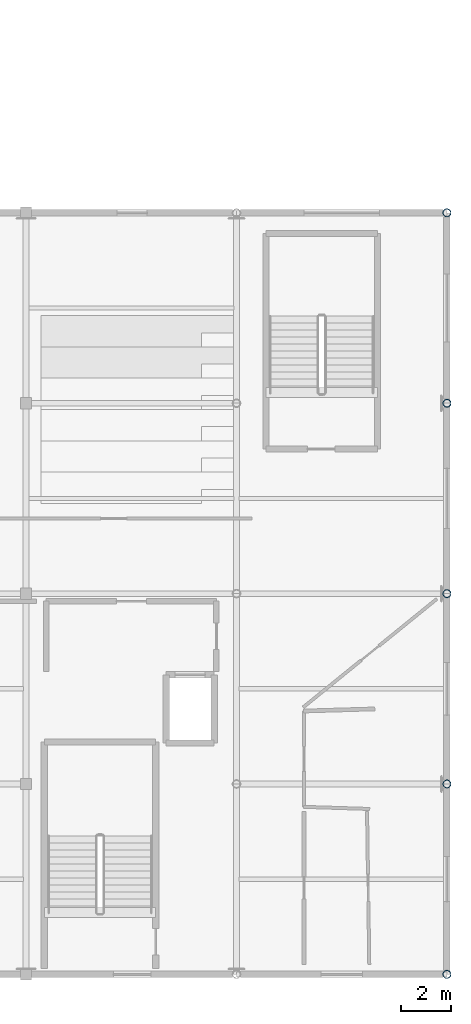
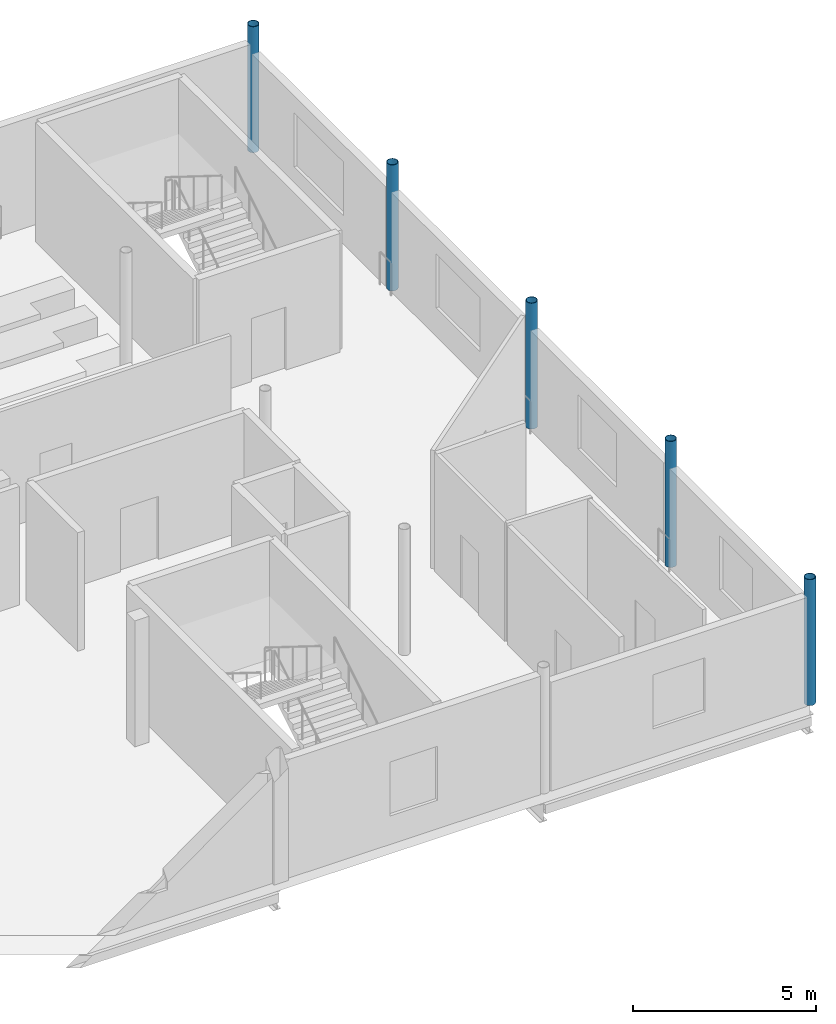
# One storey, part 3 of 13: 5 columns.
"""IFC4 building model written with IfcOpenShell, lengths in metres."""

import ifcopenshell
import ifcopenshell.guid

model = None  # the IFC model being written
_history = None  # IfcOwnerHistory: only IFC2X3 demands one
_inside = {}  # id of a spatial element -> (the spatial element, [elements in it])
_under = {}  # id of a project, library or spatial element -> (it, [spatial elements below it])
_declared = {}  # id of a project -> (the project, [libraries it declares])
_typed = {}  # id of a type object -> (the type object, [elements of that type])
_made_of = {}  # id of a material, layer set ... -> (it, [elements and type objects made of it])


def new_model(schema):
    """Start an empty IFC model of exactly this schema.

    Asked for "IFC4X3", IfcOpenShell would pick the latest addendum, in which some entities
    have other attributes; the version numbers below select the first issue.
    IFC2X3 requires an IfcOwnerHistory on every rooted entity: one is made here for all.
    """
    global model, _history
    if schema == "IFC4X3":
        model = ifcopenshell.file(schema_version=(4, 3, 0, 0))
    else:
        model = ifcopenshell.file(schema=schema)
    _inside.clear()
    _under.clear()
    _declared.clear()
    _typed.clear()
    _made_of.clear()
    _history = None
    if model.schema == "IFC2X3":
        org = make("IfcOrganization", Name="unknown")
        user = make(
            "IfcPersonAndOrganization",
            ThePerson=make("IfcPerson", FamilyName="unknown"),
            TheOrganization=org,
        )
        app = make(
            "IfcApplication",
            ApplicationDeveloper=org,
            Version="unknown",
            ApplicationFullName="unknown",
            ApplicationIdentifier="unknown",
        )
        _history = make(
            "IfcOwnerHistory",
            OwningUser=user,
            OwningApplication=app,
            ChangeAction="ADDED",
            CreationDate=0,
        )
    return model


def make(cls, **values):
    """One entity of the class cls with the attributes given. An attribute that is None is left unset."""
    return model.create_entity(
        cls, **{name: value for name, value in values.items() if value is not None}
    )


def rooted(cls, **values):
    """An entity with a GlobalId (a new one), such as an element, a storey or a relation."""
    return make(cls, GlobalId=ifcopenshell.guid.new(), OwnerHistory=_history, **values)


def si_unit(unit_type, name, prefix=None):
    """IfcSIUnit, for example si_unit("LENGTHUNIT", "METRE", prefix="MILLI")."""
    return make("IfcSIUnit", UnitType=unit_type, Prefix=prefix, Name=name)


def assignment(units):
    """IfcUnitAssignment: the units of a project."""
    return None if units is None else make("IfcUnitAssignment", Units=units)


def point(xyz):
    """IfcCartesianPoint."""
    return None if xyz is None else make("IfcCartesianPoint", Coordinates=xyz)


def direction(xyz):
    """IfcDirection."""
    return None if xyz is None else make("IfcDirection", DirectionRatios=xyz)


def frame(location, z_axis=None, x_axis=None):
    """IfcAxis2Placement3D, a coordinate frame: its origin and axes. An axis left out is left unset."""
    return make(
        "IfcAxis2Placement3D",
        Location=point(location),
        Axis=direction(z_axis),
        RefDirection=direction(x_axis),
    )


def frame_2d(location, x_axis=None):
    """IfcAxis2Placement2D, a coordinate frame in the plane: its origin and x axis."""
    return make(
        "IfcAxis2Placement2D", Location=point(location), RefDirection=direction(x_axis)
    )


def origin():
    """The frame at (0, 0, 0) with its axes left unset."""
    return frame((0.0, 0.0, 0.0))


def origin_2d():
    """The frame at (0, 0) in the plane with its x axis left unset."""
    return frame_2d((0.0, 0.0))


def place(relative_to, where):
    """IfcLocalPlacement: puts the frame where relative to a parent placement (None: the world)."""
    return make(
        "IfcLocalPlacement", PlacementRelTo=relative_to, RelativePlacement=where
    )


def context(
    kind, dimensions, precision=None, world=None, true_north=None, identifier=None
):
    """IfcGeometricRepresentationContext, for example the 3D "Model" context."""
    return make(
        "IfcGeometricRepresentationContext",
        ContextIdentifier=identifier,
        ContextType=kind,
        CoordinateSpaceDimension=dimensions,
        Precision=precision,
        WorldCoordinateSystem=world,
        TrueNorth=true_north,
    )


def subcontext(parent, identifier, kind, view, scale=None):
    """IfcGeometricRepresentationSubContext, for example "Body" below "Model"."""
    return make(
        "IfcGeometricRepresentationSubContext",
        ContextIdentifier=identifier,
        ContextType=kind,
        ParentContext=parent,
        TargetScale=scale,
        TargetView=view,
    )


def project(units=None, contexts=None):
    """IfcProject with its units and contexts."""
    return rooted(
        "IfcProject",
        Name="project",
        RepresentationContexts=contexts,
        UnitsInContext=assignment(units),
    )


def spatial(cls, under=None, at=None, **own):
    """A site, building, storey or space (cls), placed at a placement, below another one or the project."""
    s = rooted(cls, ObjectPlacement=at, **own)
    if under is not None:
        _under.setdefault(under.id(), (under, []))[1].append(s)
    return s


def profile(cls, at=None, kind="AREA", **sizes):
    """A parametric profile (cls). Its sizes go by their IFC names, for example OverallWidth=200.0."""
    return make(cls, ProfileType=kind, Position=at, **sizes)


def hollow_circle(**sizes):
    """IfcCircleHollowProfileDef."""
    return profile("IfcCircleHollowProfileDef", **sizes)


def extrude(swept, where, along, depth):
    """IfcExtrudedAreaSolid: the profile swept, set in the frame where, extruded along a direction by depth."""
    return make(
        "IfcExtrudedAreaSolid",
        SweptArea=swept,
        Position=where,
        ExtrudedDirection=direction(along),
        Depth=depth,
    )


def shape(context_of_items, identifier, shape_type, items):
    """IfcShapeRepresentation: the items that make up one representation, for example the "Body"."""
    return make(
        "IfcShapeRepresentation",
        ContextOfItems=context_of_items,
        RepresentationIdentifier=identifier,
        RepresentationType=shape_type,
        Items=items,
    )


def material(Name=None, Category=None):
    """IfcMaterial."""
    return make("IfcMaterial", Name=Name, Category=Category)


def material_profile(
    of_material, cross_section, Name=None, Category=None, Priority=None
):
    """IfcMaterialProfile: a cross section and its material."""
    return make(
        "IfcMaterialProfile",
        Name=Name,
        Material=of_material,
        Profile=cross_section,
        Priority=Priority,
        Category=Category,
    )


def profile_set(profiles, Name=None, composite=None):
    """IfcMaterialProfileSet."""
    return make(
        "IfcMaterialProfileSet",
        Name=Name,
        MaterialProfiles=profiles,
        CompositeProfile=composite,
    )


def made_of(thing, what):
    """Note that an element or type object is made of a material, layer set ...; save() writes the relation."""
    if what is not None:
        _made_of.setdefault(what.id(), (what, []))[1].append(thing)
    return thing


def type_object(cls, material=None, **own):
    """A type object (cls), such as IfcWallType, which elements share."""
    return made_of(rooted(cls, **own), material)


def element(
    cls,
    number,
    at=None,
    inside=None,
    cuts=None,
    type_object=None,
    material=None,
    context=None,
    identifier="Body",
    shape_type=None,
    held_by="IfcProductDefinitionShape",
    body=None,
    shapes=None,
    **own,
):
    """One element of the class cls, such as IfcWall. Its Tag is "e" and its number.

    at: its placement. inside: the storey or other place that contains it. cuts: it is an
    opening in that element (IfcRelVoidsElement). A single representation is given by context,
    identifier, shape_type and body (its items); several are given by shapes. held_by: the class
    of the entity that holds the representations. save() writes the other relations.
    """
    e = rooted(cls, Tag="e%d" % number, ObjectPlacement=at, **own)
    if body is not None:
        shapes = [shape(context, identifier, shape_type, body)]
    if shapes is not None:
        e.Representation = make(held_by, Representations=shapes)
    if inside is not None:
        _inside.setdefault(inside.id(), (inside, []))[1].append(e)
    if cuts is not None:
        rooted(
            "IfcRelVoidsElement", RelatingBuildingElement=cuts, RelatedOpeningElement=e
        )
    if type_object is not None:
        _typed.setdefault(type_object.id(), (type_object, []))[1].append(e)
    return made_of(e, material)


def aggregate(whole, parts):
    """IfcRelAggregates: a whole, such as a stair, and the parts it consists of."""
    return rooted("IfcRelAggregates", RelatingObject=whole, RelatedObjects=parts)


def save(model, path):
    """Write the relations noted so far, then the file.

    IfcRelAggregates (storeys below a building ...), IfcRelContainedInSpatialStructure (elements
    in a storey), IfcRelDefinesByType, IfcRelAssociatesMaterial and IfcRelDeclares: one each for
    every whole, place, type object, material and project.
    """
    for whole, parts in _under.values():
        aggregate(whole, parts)
    for where, things in _inside.values():
        rooted(
            "IfcRelContainedInSpatialStructure",
            RelatedElements=things,
            RelatingStructure=where,
        )
    for kind, things in _typed.values():
        rooted("IfcRelDefinesByType", RelatedObjects=things, RelatingType=kind)
    for what, things in _made_of.values():
        rooted("IfcRelAssociatesMaterial", RelatedObjects=things, RelatingMaterial=what)
    for by, libraries in _declared.values():
        rooted("IfcRelDeclares", RelatingContext=by, RelatedDefinitions=libraries)
    model.write(path)


model = new_model("IFC4")

# Units and contexts
model_context = context("Model", 3, precision=1e-05, world=origin(), true_north=direction((0.0, 1.0)))
body_context = subcontext(model_context, "Body", "Model", "MODEL_VIEW")
ifc_project = project(units=[si_unit("LENGTHUNIT", "METRE"), si_unit("AREAUNIT", "SQUARE_METRE"), si_unit("VOLUMEUNIT", "CUBIC_METRE"), si_unit("PLANEANGLEUNIT", "RADIAN"), si_unit("MASSUNIT", "GRAM", prefix="KILO")], contexts=[model_context])

# Site, building, storey
site_placement = place(None, origin())
site = spatial("IfcSite", under=ifc_project, at=site_placement, CompositionType="ELEMENT")
building_placement = place(site_placement, origin())
building = spatial("IfcBuilding", under=site, at=building_placement, Name="Zuvorla Pavilion Media Centre", CompositionType="ELEMENT")
storey_placement = place(building_placement, frame((0.0, 0.0, 22.199951171875)))
storey = spatial("IfcBuildingStorey", under=building, at=storey_placement, Name="L05", CompositionType="ELEMENT", Elevation=22.199951171875)

# Columns
ifc_material = material(Name="Steel S355", Category="steel")
ifc_material_profile = material_profile(ifc_material, hollow_circle(Radius=0.161865234375, WallThickness=0.01611328125, at=origin_2d()), Name="CHS 323.9x16")
ifc_profile_set = profile_set([ifc_material_profile], Name="Steel S355")
column_type = type_object("IfcColumnType", Name="COL-CHS324", PredefinedType="COLUMN", material=ifc_profile_set)
for number, where, z_axis, x_axis, name in (
    (1, (108.800048828125, 6.0, 0.0), (0.0, 0.0, 1.0), (1.0, 0.0, 0.0), "L05 column C12 63"),
    (2, (108.800048828125, 13.60009765625, 0.0), (0.0, 0.0, 1.0), (1.0, 0.0, 0.0), "L05 column C12 161"),
    (3, (108.800048828125, 21.199951171875, 0.0), (0.0, 0.0, 1.0), (1.0, 0.0, 0.0), "L05 column C12 262"),
    (4, (108.800048828125, 28.800048828125, 0.0), (0.0, 0.0, 1.0), (1.0, 0.0, 0.0), "L05 column C12 357"),
    (5, (108.800048828125, 36.39990234375, 0.0), (0.0, 0.0, 1.0), (1.0, 0.0, 0.0), "L05 column C12 447"),
):
    element("IfcColumn", number, at=place(storey_placement, frame(where, z_axis=z_axis, x_axis=x_axis)), inside=storey, type_object=column_type, Name=name, PredefinedType="COLUMN", context=body_context, shape_type="SweptSolid", body=[
        extrude(hollow_circle(Radius=0.161865234375, WallThickness=0.01611328125, at=origin_2d()), origin(), (0.0, 0.0, 1.0), 4.199951171875),
    ])

save(model, "model.ifc")
